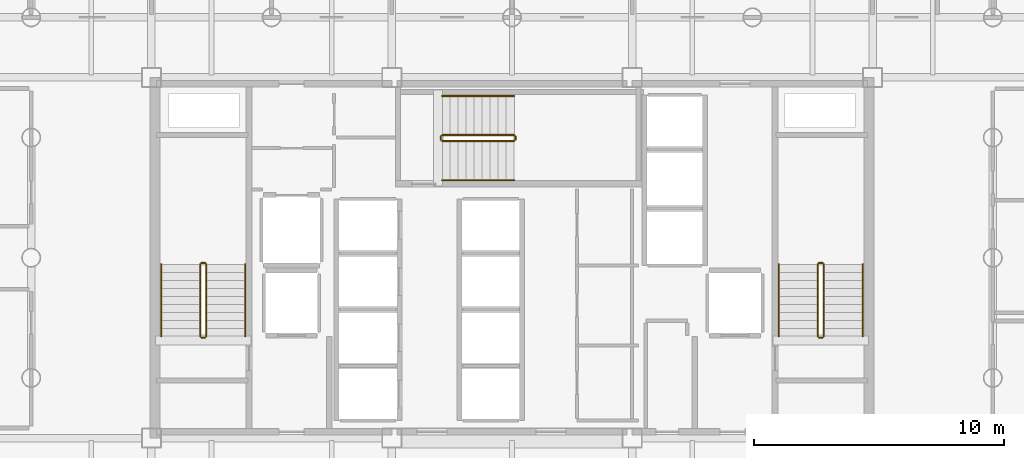
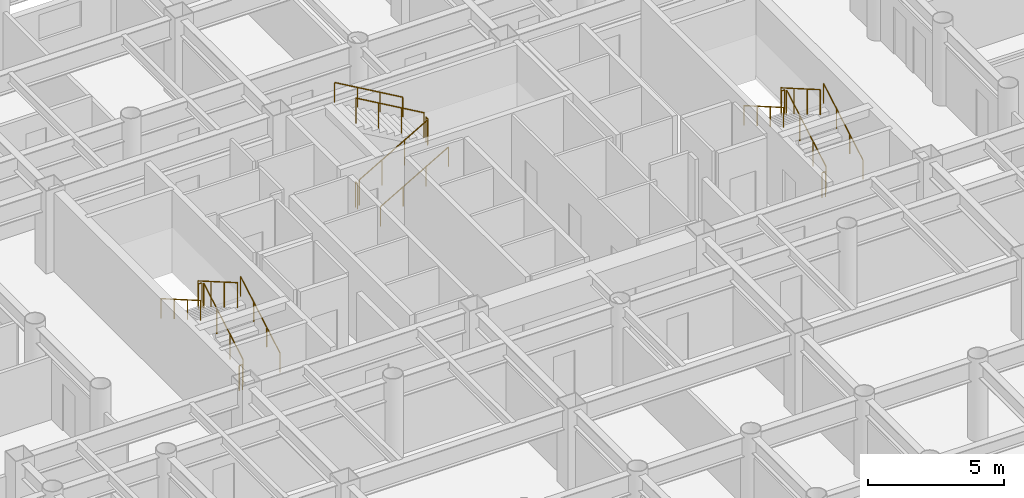
# One storey, part 21 of 21: 18 railings.
"""IFC4 building model written with IfcOpenShell, lengths in metres."""

import ifcopenshell
import ifcopenshell.guid

model = None  # the IFC model being written
_history = None  # IfcOwnerHistory: only IFC2X3 demands one
_inside = {}  # id of a spatial element -> (the spatial element, [elements in it])
_under = {}  # id of a project, library or spatial element -> (it, [spatial elements below it])
_declared = {}  # id of a project -> (the project, [libraries it declares])
_typed = {}  # id of a type object -> (the type object, [elements of that type])
_made_of = {}  # id of a material, layer set ... -> (it, [elements and type objects made of it])


def new_model(schema):
    """Start an empty IFC model of exactly this schema.

    Asked for "IFC4X3", IfcOpenShell would pick the latest addendum, in which some entities
    have other attributes; the version numbers below select the first issue.
    IFC2X3 requires an IfcOwnerHistory on every rooted entity: one is made here for all.
    """
    global model, _history
    if schema == "IFC4X3":
        model = ifcopenshell.file(schema_version=(4, 3, 0, 0))
    else:
        model = ifcopenshell.file(schema=schema)
    _inside.clear()
    _under.clear()
    _declared.clear()
    _typed.clear()
    _made_of.clear()
    _history = None
    if model.schema == "IFC2X3":
        org = make("IfcOrganization", Name="unknown")
        user = make(
            "IfcPersonAndOrganization",
            ThePerson=make("IfcPerson", FamilyName="unknown"),
            TheOrganization=org,
        )
        app = make(
            "IfcApplication",
            ApplicationDeveloper=org,
            Version="unknown",
            ApplicationFullName="unknown",
            ApplicationIdentifier="unknown",
        )
        _history = make(
            "IfcOwnerHistory",
            OwningUser=user,
            OwningApplication=app,
            ChangeAction="ADDED",
            CreationDate=0,
        )
    return model


def make(cls, **values):
    """One entity of the class cls with the attributes given. An attribute that is None is left unset."""
    return model.create_entity(
        cls, **{name: value for name, value in values.items() if value is not None}
    )


def rooted(cls, **values):
    """An entity with a GlobalId (a new one), such as an element, a storey or a relation."""
    return make(cls, GlobalId=ifcopenshell.guid.new(), OwnerHistory=_history, **values)


def si_unit(unit_type, name, prefix=None):
    """IfcSIUnit, for example si_unit("LENGTHUNIT", "METRE", prefix="MILLI")."""
    return make("IfcSIUnit", UnitType=unit_type, Prefix=prefix, Name=name)


def assignment(units):
    """IfcUnitAssignment: the units of a project."""
    return None if units is None else make("IfcUnitAssignment", Units=units)


def point(xyz):
    """IfcCartesianPoint."""
    return None if xyz is None else make("IfcCartesianPoint", Coordinates=xyz)


def direction(xyz):
    """IfcDirection."""
    return None if xyz is None else make("IfcDirection", DirectionRatios=xyz)


def frame(location, z_axis=None, x_axis=None):
    """IfcAxis2Placement3D, a coordinate frame: its origin and axes. An axis left out is left unset."""
    return make(
        "IfcAxis2Placement3D",
        Location=point(location),
        Axis=direction(z_axis),
        RefDirection=direction(x_axis),
    )


def frame_2d(location, x_axis=None):
    """IfcAxis2Placement2D, a coordinate frame in the plane: its origin and x axis."""
    return make(
        "IfcAxis2Placement2D", Location=point(location), RefDirection=direction(x_axis)
    )


def origin():
    """The frame at (0, 0, 0) with its axes left unset."""
    return frame((0.0, 0.0, 0.0))


def origin_2d():
    """The frame at (0, 0) in the plane with its x axis left unset."""
    return frame_2d((0.0, 0.0))


def place(relative_to, where):
    """IfcLocalPlacement: puts the frame where relative to a parent placement (None: the world)."""
    return make(
        "IfcLocalPlacement", PlacementRelTo=relative_to, RelativePlacement=where
    )


def context(
    kind, dimensions, precision=None, world=None, true_north=None, identifier=None
):
    """IfcGeometricRepresentationContext, for example the 3D "Model" context."""
    return make(
        "IfcGeometricRepresentationContext",
        ContextIdentifier=identifier,
        ContextType=kind,
        CoordinateSpaceDimension=dimensions,
        Precision=precision,
        WorldCoordinateSystem=world,
        TrueNorth=true_north,
    )


def subcontext(parent, identifier, kind, view, scale=None):
    """IfcGeometricRepresentationSubContext, for example "Body" below "Model"."""
    return make(
        "IfcGeometricRepresentationSubContext",
        ContextIdentifier=identifier,
        ContextType=kind,
        ParentContext=parent,
        TargetScale=scale,
        TargetView=view,
    )


def project(units=None, contexts=None):
    """IfcProject with its units and contexts."""
    return rooted(
        "IfcProject",
        Name="project",
        RepresentationContexts=contexts,
        UnitsInContext=assignment(units),
    )


def spatial(cls, under=None, at=None, **own):
    """A site, building, storey or space (cls), placed at a placement, below another one or the project."""
    s = rooted(cls, ObjectPlacement=at, **own)
    if under is not None:
        _under.setdefault(under.id(), (under, []))[1].append(s)
    return s


def profile(cls, at=None, kind="AREA", **sizes):
    """A parametric profile (cls). Its sizes go by their IFC names, for example OverallWidth=200.0."""
    return make(cls, ProfileType=kind, Position=at, **sizes)


def circle(**sizes):
    """IfcCircleProfileDef."""
    return profile("IfcCircleProfileDef", **sizes)


def extrude(swept, where, along, depth):
    """IfcExtrudedAreaSolid: the profile swept, set in the frame where, extruded along a direction by depth."""
    return make(
        "IfcExtrudedAreaSolid",
        SweptArea=swept,
        Position=where,
        ExtrudedDirection=direction(along),
        Depth=depth,
    )


def shape(context_of_items, identifier, shape_type, items):
    """IfcShapeRepresentation: the items that make up one representation, for example the "Body"."""
    return make(
        "IfcShapeRepresentation",
        ContextOfItems=context_of_items,
        RepresentationIdentifier=identifier,
        RepresentationType=shape_type,
        Items=items,
    )


def material(Name=None, Category=None):
    """IfcMaterial."""
    return make("IfcMaterial", Name=Name, Category=Category)


def layer(
    of_material, thickness, ventilated=None, Name=None, Category=None, Priority=None
):
    """IfcMaterialLayer: one layer of a wall or slab, of a material (None: an air gap)."""
    return make(
        "IfcMaterialLayer",
        Material=of_material,
        LayerThickness=thickness,
        IsVentilated=ventilated,
        Name=Name,
        Category=Category,
        Priority=Priority,
    )


def layer_set(layers, Name=None):
    """IfcMaterialLayerSet."""
    return make("IfcMaterialLayerSet", MaterialLayers=layers, LayerSetName=Name)


def made_of(thing, what):
    """Note that an element or type object is made of a material, layer set ...; save() writes the relation."""
    if what is not None:
        _made_of.setdefault(what.id(), (what, []))[1].append(thing)
    return thing


def type_object(cls, material=None, **own):
    """A type object (cls), such as IfcWallType, which elements share."""
    return made_of(rooted(cls, **own), material)


def element(
    cls,
    number,
    at=None,
    inside=None,
    cuts=None,
    type_object=None,
    material=None,
    context=None,
    identifier="Body",
    shape_type=None,
    held_by="IfcProductDefinitionShape",
    body=None,
    shapes=None,
    **own,
):
    """One element of the class cls, such as IfcWall. Its Tag is "e" and its number.

    at: its placement. inside: the storey or other place that contains it. cuts: it is an
    opening in that element (IfcRelVoidsElement). A single representation is given by context,
    identifier, shape_type and body (its items); several are given by shapes. held_by: the class
    of the entity that holds the representations. save() writes the other relations.
    """
    e = rooted(cls, Tag="e%d" % number, ObjectPlacement=at, **own)
    if body is not None:
        shapes = [shape(context, identifier, shape_type, body)]
    if shapes is not None:
        e.Representation = make(held_by, Representations=shapes)
    if inside is not None:
        _inside.setdefault(inside.id(), (inside, []))[1].append(e)
    if cuts is not None:
        rooted(
            "IfcRelVoidsElement", RelatingBuildingElement=cuts, RelatedOpeningElement=e
        )
    if type_object is not None:
        _typed.setdefault(type_object.id(), (type_object, []))[1].append(e)
    return made_of(e, material)


def aggregate(whole, parts):
    """IfcRelAggregates: a whole, such as a stair, and the parts it consists of."""
    return rooted("IfcRelAggregates", RelatingObject=whole, RelatedObjects=parts)


def save(model, path):
    """Write the relations noted so far, then the file.

    IfcRelAggregates (storeys below a building ...), IfcRelContainedInSpatialStructure (elements
    in a storey), IfcRelDefinesByType, IfcRelAssociatesMaterial and IfcRelDeclares: one each for
    every whole, place, type object, material and project.
    """
    for whole, parts in _under.values():
        aggregate(whole, parts)
    for where, things in _inside.values():
        rooted(
            "IfcRelContainedInSpatialStructure",
            RelatedElements=things,
            RelatingStructure=where,
        )
    for kind, things in _typed.values():
        rooted("IfcRelDefinesByType", RelatedObjects=things, RelatingType=kind)
    for what, things in _made_of.values():
        rooted("IfcRelAssociatesMaterial", RelatedObjects=things, RelatingMaterial=what)
    for by, libraries in _declared.values():
        rooted("IfcRelDeclares", RelatingContext=by, RelatedDefinitions=libraries)
    model.write(path)


model = new_model("IFC4")

# Units and contexts
model_context = context("Model", 3, precision=1e-05, world=origin(), true_north=direction((0.0, 1.0)))
body_context = subcontext(model_context, "Body", "Model", "MODEL_VIEW")
ifc_project = project(units=[si_unit("LENGTHUNIT", "METRE"), si_unit("AREAUNIT", "SQUARE_METRE"), si_unit("VOLUMEUNIT", "CUBIC_METRE"), si_unit("PLANEANGLEUNIT", "RADIAN"), si_unit("MASSUNIT", "GRAM", prefix="KILO")], contexts=[model_context])

# Site, building, storey
site_placement = place(None, origin())
site = spatial("IfcSite", under=ifc_project, at=site_placement, CompositionType="ELEMENT")
building_placement = place(site_placement, origin())
building = spatial("IfcBuilding", under=site, at=building_placement, Name="Kallvorn Hotel Tower", CompositionType="ELEMENT")
storey_placement = place(building_placement, frame((0.0, 0.0, 52.199951171875)))
storey = spatial("IfcBuildingStorey", under=building, at=storey_placement, Name="L11", CompositionType="ELEMENT", Elevation=52.199951171875)

# Railings
ifc_material_1 = material(Name="Brushed stainless-steel tubular railing", Category="steel")
ifc_layer_1 = layer(ifc_material_1, 0.050048828125)
ifc_layer_set_1 = layer_set([ifc_layer_1], Name="RL_STAIR_GUARD")
railing_type_1 = type_object("IfcRailingType", Name="RL_STAIR_GUARD", PredefinedType="GUARDRAIL", material=ifc_layer_set_1)
railing_1_placement = place(storey_placement, frame((-12.2099609375, -3.139892578125, 0.18505859375)))
element("IfcRailing", 1, at=railing_1_placement, inside=storey, type_object=railing_type_1, Name="L11 ST1 stair guard 1", PredefinedType="GUARDRAIL", context=body_context, shape_type="SweptSolid", body=[
    extrude(circle(Radius=0.02392578125, at=origin_2d()), frame((0.0, 0.0, 1.1259765625), z_axis=(0.0, 0.865720918037, 0.500527014328), x_axis=(-1.0, 0.0, 0.0)), (0.0, 0.0, 1.0), 3.32666015625),
    extrude(circle(Radius=0.02099609375, at=origin_2d()), origin(), (0.0, 0.0, 1.0), 1.101806640625),
    extrude(circle(Radius=0.02099609375, at=origin_2d()), frame((0.0, 0.9599609375, 0.554931640625)), (0.0, 0.0, 1.0), 1.101806640625),
    extrude(circle(Radius=0.02099609375, at=origin_2d()), frame((0.0, 1.919921875, 1.110107421875)), (0.0, 0.0, 1.0), 1.101806640625),
    extrude(circle(Radius=0.02099609375, at=origin_2d()), frame((0.0, 2.8798828125, 1.6650390625)), (0.0, 0.0, 1.0), 1.101806640625),
])
railing_2_placement = place(storey_placement, frame((-12.260009765625, -0.2099609375, 1.85009765625)))
element("IfcRailing", 2, at=railing_2_placement, inside=storey, type_object=railing_type_1, Name="L11 ST1 stair guard 2", PredefinedType="GUARDRAIL", context=body_context, shape_type="SweptSolid", body=[
    extrude(circle(Radius=0.02392578125, at=origin_2d()), frame((0.0, 0.0, 1.1259765625), z_axis=(-1.0, 0.0, 0.0), x_axis=(0.0, -1.0, 0.0)), (0.0, 0.0, 1.0), 0.139892578125),
    extrude(circle(Radius=0.02099609375, at=origin_2d()), origin(), (0.0, 0.0, 1.0), 1.101806640625),
    extrude(circle(Radius=0.02099609375, at=origin_2d()), frame((-0.139892578125, 0.0, 0.0)), (0.0, 0.0, 1.0), 1.101806640625),
])
railing_3_placement = place(storey_placement, frame((-12.449951171875, -0.260009765625, 2.03515625)))
element("IfcRailing", 3, at=railing_3_placement, inside=storey, type_object=railing_type_1, Name="L11 ST1 stair guard 3", PredefinedType="GUARDRAIL", context=body_context, shape_type="SweptSolid", body=[
    extrude(circle(Radius=0.02392578125, at=origin_2d()), frame((0.0, 0.0, 1.1259765625), z_axis=(0.0, -0.86575271903, 0.500472006703), x_axis=(1.0, 0.0, 0.0)), (0.0, 0.0, 1.0), 3.326416015625),
    extrude(circle(Radius=0.02099609375, at=origin_2d()), origin(), (0.0, 0.0, 1.0), 1.101806640625),
    extrude(circle(Radius=0.02099609375, at=origin_2d()), frame((0.0, -0.9599609375, 0.554931640625)), (0.0, 0.0, 1.0), 1.101806640625),
    extrude(circle(Radius=0.02099609375, at=origin_2d()), frame((0.0, -1.919921875, 1.10986328125)), (0.0, 0.0, 1.0), 1.101806640625),
    extrude(circle(Radius=0.02099609375, at=origin_2d()), frame((0.0, -2.8798828125, 1.664794921875)), (0.0, 0.0, 1.0), 1.101806640625),
])
railing_4_placement = place(storey_placement, frame((-12.260009765625, -3.18994140625, 0.0)))
element("IfcRailing", 4, at=railing_4_placement, inside=storey, type_object=railing_type_1, Name="L11 ST1 stair guard 4", PredefinedType="GUARDRAIL", context=body_context, shape_type="SweptSolid", body=[
    extrude(circle(Radius=0.02392578125, at=origin_2d()), frame((0.0, 0.0, 1.1259765625), z_axis=(-1.0, 0.0, 0.0), x_axis=(0.0, -1.0, 0.0)), (0.0, 0.0, 1.0), 0.139892578125),
    extrude(circle(Radius=0.02099609375, at=origin_2d()), origin(), (0.0, 0.0, 1.0), 1.101806640625),
    extrude(circle(Radius=0.02099609375, at=origin_2d()), frame((-0.139892578125, 0.0, 0.0)), (0.0, 0.0, 1.0), 1.101806640625),
])
railing_5_placement = place(storey_placement, frame((12.449951171875, -3.139892578125, 0.18505859375)))
element("IfcRailing", 5, at=railing_5_placement, inside=storey, type_object=railing_type_1, Name="L11 ST2 stair guard 1", PredefinedType="GUARDRAIL", context=body_context, shape_type="SweptSolid", body=[
    extrude(circle(Radius=0.02392578125, at=origin_2d()), frame((0.0, 0.0, 1.1259765625), z_axis=(0.0, 0.865720918037, 0.500527014328), x_axis=(-1.0, 0.0, 0.0)), (0.0, 0.0, 1.0), 3.32666015625),
    extrude(circle(Radius=0.02099609375, at=origin_2d()), origin(), (0.0, 0.0, 1.0), 1.101806640625),
    extrude(circle(Radius=0.02099609375, at=origin_2d()), frame((0.0, 0.9599609375, 0.554931640625)), (0.0, 0.0, 1.0), 1.101806640625),
    extrude(circle(Radius=0.02099609375, at=origin_2d()), frame((0.0, 1.919921875, 1.110107421875)), (0.0, 0.0, 1.0), 1.101806640625),
    extrude(circle(Radius=0.02099609375, at=origin_2d()), frame((0.0, 2.8798828125, 1.6650390625)), (0.0, 0.0, 1.0), 1.101806640625),
])
railing_6_placement = place(storey_placement, frame((12.39990234375, -0.2099609375, 1.85009765625)))
element("IfcRailing", 6, at=railing_6_placement, inside=storey, type_object=railing_type_1, Name="L11 ST2 stair guard 2", PredefinedType="GUARDRAIL", context=body_context, shape_type="SweptSolid", body=[
    extrude(circle(Radius=0.02392578125, at=origin_2d()), frame((0.0, 0.0, 1.1259765625), z_axis=(-1.0, 0.0, 0.0), x_axis=(0.0, -1.0, 0.0)), (0.0, 0.0, 1.0), 0.139892578125),
    extrude(circle(Radius=0.02099609375, at=origin_2d()), origin(), (0.0, 0.0, 1.0), 1.101806640625),
    extrude(circle(Radius=0.02099609375, at=origin_2d()), frame((-0.139892578125, 0.0, 0.0)), (0.0, 0.0, 1.0), 1.101806640625),
])
railing_7_placement = place(storey_placement, frame((12.2099609375, -0.260009765625, 2.03515625)))
element("IfcRailing", 7, at=railing_7_placement, inside=storey, type_object=railing_type_1, Name="L11 ST2 stair guard 3", PredefinedType="GUARDRAIL", context=body_context, shape_type="SweptSolid", body=[
    extrude(circle(Radius=0.02392578125, at=origin_2d()), frame((0.0, 0.0, 1.1259765625), z_axis=(0.0, -0.86575271903, 0.500472006703), x_axis=(1.0, 0.0, 0.0)), (0.0, 0.0, 1.0), 3.326416015625),
    extrude(circle(Radius=0.02099609375, at=origin_2d()), origin(), (0.0, 0.0, 1.0), 1.101806640625),
    extrude(circle(Radius=0.02099609375, at=origin_2d()), frame((0.0, -0.9599609375, 0.554931640625)), (0.0, 0.0, 1.0), 1.101806640625),
    extrude(circle(Radius=0.02099609375, at=origin_2d()), frame((0.0, -1.919921875, 1.10986328125)), (0.0, 0.0, 1.0), 1.101806640625),
    extrude(circle(Radius=0.02099609375, at=origin_2d()), frame((0.0, -2.8798828125, 1.664794921875)), (0.0, 0.0, 1.0), 1.101806640625),
])
railing_8_placement = place(storey_placement, frame((12.39990234375, -3.18994140625, 0.0)))
element("IfcRailing", 8, at=railing_8_placement, inside=storey, type_object=railing_type_1, Name="L11 ST2 stair guard 4", PredefinedType="GUARDRAIL", context=body_context, shape_type="SweptSolid", body=[
    extrude(circle(Radius=0.02392578125, at=origin_2d()), frame((0.0, 0.0, 1.1259765625), z_axis=(-1.0, 0.0, 0.0), x_axis=(0.0, -1.0, 0.0)), (0.0, 0.0, 1.0), 0.139892578125),
    extrude(circle(Radius=0.02099609375, at=origin_2d()), origin(), (0.0, 0.0, 1.0), 1.101806640625),
    extrude(circle(Radius=0.02099609375, at=origin_2d()), frame((-0.139892578125, 0.0, 0.0)), (0.0, 0.0, 1.0), 1.101806640625),
])
railing_9_placement = place(storey_placement, frame((-2.7900390625, 4.659912109375, 0.18505859375)))
element("IfcRailing", 9, at=railing_9_placement, inside=storey, type_object=railing_type_1, Name="L11 ST3 stair guard 1", PredefinedType="GUARDRAIL", context=body_context, shape_type="SweptSolid", body=[
    extrude(circle(Radius=0.02392578125, at=origin_2d()), frame((0.0, 0.0, 1.1259765625), z_axis=(0.865739302748, 0.0, 0.50049521444), x_axis=(0.0, 1.0, 0.0)), (0.0, 0.0, 1.0), 3.326904296875),
    extrude(circle(Radius=0.02099609375, at=origin_2d()), origin(), (0.0, 0.0, 1.0), 1.101806640625),
    extrude(circle(Radius=0.02099609375, at=origin_2d()), frame((0.9599609375, 0.0, 0.554931640625)), (0.0, 0.0, 1.0), 1.101806640625),
    extrude(circle(Radius=0.02099609375, at=origin_2d()), frame((1.920166015625, 0.0, 1.110107421875)), (0.0, 0.0, 1.0), 1.101806640625),
    extrude(circle(Radius=0.02099609375, at=origin_2d()), frame((2.880126953125, 0.0, 1.6650390625)), (0.0, 0.0, 1.0), 1.101806640625),
])
railing_10_placement = place(storey_placement, frame((0.139892578125, 4.7099609375, 1.85009765625)))
element("IfcRailing", 10, at=railing_10_placement, inside=storey, type_object=railing_type_1, Name="L11 ST3 stair guard 2", PredefinedType="GUARDRAIL", context=body_context, shape_type="SweptSolid", body=[
    extrude(circle(Radius=0.02392578125, at=origin_2d()), frame((0.0, 0.0, 1.1259765625), z_axis=(0.0, 1.0, 0.0), x_axis=(-1.0, 0.0, 0.0)), (0.0, 0.0, 1.0), 0.14013671875),
    extrude(circle(Radius=0.02099609375, at=origin_2d()), origin(), (0.0, 0.0, 1.0), 1.101806640625),
    extrude(circle(Radius=0.02099609375, at=origin_2d()), frame((0.0, 0.14013671875, 0.0)), (0.0, 0.0, 1.0), 1.101806640625),
])
railing_11_placement = place(storey_placement, frame((0.090087890625, 4.89990234375, 2.03515625)))
element("IfcRailing", 11, at=railing_11_placement, inside=storey, type_object=railing_type_1, Name="L11 ST3 stair guard 3", PredefinedType="GUARDRAIL", context=body_context, shape_type="SweptSolid", body=[
    extrude(circle(Radius=0.02392578125, at=origin_2d()), frame((0.0, 0.0, 1.1259765625), z_axis=(-0.865771100375, 0.0, 0.500440207973), x_axis=(0.0, -1.0, 0.0)), (0.0, 0.0, 1.0), 3.32666015625),
    extrude(circle(Radius=0.02099609375, at=origin_2d()), origin(), (0.0, 0.0, 1.0), 1.101806640625),
    extrude(circle(Radius=0.02099609375, at=origin_2d()), frame((-0.9599609375, 0.0, 0.554931640625)), (0.0, 0.0, 1.0), 1.101806640625),
    extrude(circle(Radius=0.02099609375, at=origin_2d()), frame((-1.920166015625, 0.0, 1.10986328125)), (0.0, 0.0, 1.0), 1.101806640625),
    extrude(circle(Radius=0.02099609375, at=origin_2d()), frame((-2.880126953125, 0.0, 1.664794921875)), (0.0, 0.0, 1.0), 1.101806640625),
])
railing_12_placement = place(storey_placement, frame((-2.840087890625, 4.7099609375, 0.0)))
element("IfcRailing", 12, at=railing_12_placement, inside=storey, type_object=railing_type_1, Name="L11 ST3 stair guard 4", PredefinedType="GUARDRAIL", context=body_context, shape_type="SweptSolid", body=[
    extrude(circle(Radius=0.02392578125, at=origin_2d()), frame((0.0, 0.0, 1.1259765625), z_axis=(0.0, 1.0, 0.0), x_axis=(-1.0, 0.0, 0.0)), (0.0, 0.0, 1.0), 0.14013671875),
    extrude(circle(Radius=0.02099609375, at=origin_2d()), origin(), (0.0, 0.0, 1.0), 1.101806640625),
    extrude(circle(Radius=0.02099609375, at=origin_2d()), frame((0.0, 0.14013671875, 0.0)), (0.0, 0.0, 1.0), 1.101806640625),
])
ifc_material_2 = material(Name="Brushed stainless-steel tubular railing", Category="steel")
ifc_layer_2 = layer(ifc_material_2, 0.050048828125)
ifc_layer_set_2 = layer_set([ifc_layer_2], Name="RL_STAIR_HAND")
railing_type_2 = type_object("IfcRailingType", Name="RL_STAIR_HAND", PredefinedType="HANDRAIL", material=ifc_layer_set_2)
railing_13_placement = place(storey_placement, frame((-10.64990234375, -3.139892578125, 0.18505859375)))
element("IfcRailing", 13, at=railing_13_placement, inside=storey, type_object=railing_type_2, Name="L11 ST1 stair handrail 1", PredefinedType="HANDRAIL", context=body_context, shape_type="SweptSolid", body=[
    extrude(circle(Radius=0.02392578125, at=origin_2d()), frame((0.0, 0.0, 0.8759765625), z_axis=(0.0, 0.865720918037, 0.500527014328), x_axis=(-1.0, 0.0, 0.0)), (0.0, 0.0, 1.0), 3.32666015625),
    extrude(circle(Radius=0.02099609375, at=origin_2d()), origin(), (0.0, 0.0, 1.0), 0.851806640625),
    extrude(circle(Radius=0.02099609375, at=origin_2d()), frame((0.0, 0.9599609375, 0.554931640625)), (0.0, 0.0, 1.0), 0.851806640625),
    extrude(circle(Radius=0.02099609375, at=origin_2d()), frame((0.0, 1.919921875, 1.110107421875)), (0.0, 0.0, 1.0), 0.851806640625),
    extrude(circle(Radius=0.02099609375, at=origin_2d()), frame((0.0, 2.8798828125, 1.6650390625)), (0.0, 0.0, 1.0), 0.851806640625),
])
railing_14_placement = place(storey_placement, frame((-14.010009765625, -0.260009765625, 2.03515625)))
element("IfcRailing", 14, at=railing_14_placement, inside=storey, type_object=railing_type_2, Name="L11 ST1 stair handrail 2", PredefinedType="HANDRAIL", context=body_context, shape_type="SweptSolid", body=[
    extrude(circle(Radius=0.02392578125, at=origin_2d()), frame((0.0, 0.0, 0.8759765625), z_axis=(0.0, -0.86575271903, 0.500472006703), x_axis=(1.0, 0.0, 0.0)), (0.0, 0.0, 1.0), 3.326416015625),
    extrude(circle(Radius=0.02099609375, at=origin_2d()), origin(), (0.0, 0.0, 1.0), 0.851806640625),
    extrude(circle(Radius=0.02099609375, at=origin_2d()), frame((0.0, -0.9599609375, 0.554931640625)), (0.0, 0.0, 1.0), 0.851806640625),
    extrude(circle(Radius=0.02099609375, at=origin_2d()), frame((0.0, -1.919921875, 1.10986328125)), (0.0, 0.0, 1.0), 0.851806640625),
    extrude(circle(Radius=0.02099609375, at=origin_2d()), frame((0.0, -2.8798828125, 1.664794921875)), (0.0, 0.0, 1.0), 0.851806640625),
])
railing_15_placement = place(storey_placement, frame((14.010009765625, -3.139892578125, 0.18505859375)))
element("IfcRailing", 15, at=railing_15_placement, inside=storey, type_object=railing_type_2, Name="L11 ST2 stair handrail 1", PredefinedType="HANDRAIL", context=body_context, shape_type="SweptSolid", body=[
    extrude(circle(Radius=0.02392578125, at=origin_2d()), frame((0.0, 0.0, 0.8759765625), z_axis=(0.0, 0.865720918037, 0.500527014328), x_axis=(-1.0, 0.0, 0.0)), (0.0, 0.0, 1.0), 3.32666015625),
    extrude(circle(Radius=0.02099609375, at=origin_2d()), origin(), (0.0, 0.0, 1.0), 0.851806640625),
    extrude(circle(Radius=0.02099609375, at=origin_2d()), frame((0.0, 0.9599609375, 0.554931640625)), (0.0, 0.0, 1.0), 0.851806640625),
    extrude(circle(Radius=0.02099609375, at=origin_2d()), frame((0.0, 1.919921875, 1.110107421875)), (0.0, 0.0, 1.0), 0.851806640625),
    extrude(circle(Radius=0.02099609375, at=origin_2d()), frame((0.0, 2.8798828125, 1.6650390625)), (0.0, 0.0, 1.0), 0.851806640625),
])
railing_16_placement = place(storey_placement, frame((10.64990234375, -0.260009765625, 2.03515625)))
element("IfcRailing", 16, at=railing_16_placement, inside=storey, type_object=railing_type_2, Name="L11 ST2 stair handrail 2", PredefinedType="HANDRAIL", context=body_context, shape_type="SweptSolid", body=[
    extrude(circle(Radius=0.02392578125, at=origin_2d()), frame((0.0, 0.0, 0.8759765625), z_axis=(0.0, -0.86575271903, 0.500472006703), x_axis=(1.0, 0.0, 0.0)), (0.0, 0.0, 1.0), 3.326416015625),
    extrude(circle(Radius=0.02099609375, at=origin_2d()), origin(), (0.0, 0.0, 1.0), 0.851806640625),
    extrude(circle(Radius=0.02099609375, at=origin_2d()), frame((0.0, -0.9599609375, 0.554931640625)), (0.0, 0.0, 1.0), 0.851806640625),
    extrude(circle(Radius=0.02099609375, at=origin_2d()), frame((0.0, -1.919921875, 1.10986328125)), (0.0, 0.0, 1.0), 0.851806640625),
    extrude(circle(Radius=0.02099609375, at=origin_2d()), frame((0.0, -2.8798828125, 1.664794921875)), (0.0, 0.0, 1.0), 0.851806640625),
])
railing_17_placement = place(storey_placement, frame((-2.7900390625, 3.10009765625, 0.18505859375)))
element("IfcRailing", 17, at=railing_17_placement, inside=storey, type_object=railing_type_2, Name="L11 ST3 stair handrail 1", PredefinedType="HANDRAIL", context=body_context, shape_type="SweptSolid", body=[
    extrude(circle(Radius=0.02392578125, at=origin_2d()), frame((0.0, 0.0, 0.8759765625), z_axis=(0.865739302748, 0.0, 0.50049521444), x_axis=(0.0, 1.0, 0.0)), (0.0, 0.0, 1.0), 3.326904296875),
    extrude(circle(Radius=0.02099609375, at=origin_2d()), origin(), (0.0, 0.0, 1.0), 0.851806640625),
    extrude(circle(Radius=0.02099609375, at=origin_2d()), frame((0.9599609375, 0.0, 0.554931640625)), (0.0, 0.0, 1.0), 0.851806640625),
    extrude(circle(Radius=0.02099609375, at=origin_2d()), frame((1.920166015625, 0.0, 1.110107421875)), (0.0, 0.0, 1.0), 0.851806640625),
    extrude(circle(Radius=0.02099609375, at=origin_2d()), frame((2.880126953125, 0.0, 1.6650390625)), (0.0, 0.0, 1.0), 0.851806640625),
])
railing_18_placement = place(storey_placement, frame((0.090087890625, 6.4599609375, 2.03515625)))
element("IfcRailing", 18, at=railing_18_placement, inside=storey, type_object=railing_type_2, Name="L11 ST3 stair handrail 2", PredefinedType="HANDRAIL", context=body_context, shape_type="SweptSolid", body=[
    extrude(circle(Radius=0.02392578125, at=origin_2d()), frame((0.0, 0.0, 0.8759765625), z_axis=(-0.865771100375, 0.0, 0.500440207973), x_axis=(0.0, -1.0, 0.0)), (0.0, 0.0, 1.0), 3.32666015625),
    extrude(circle(Radius=0.02099609375, at=origin_2d()), origin(), (0.0, 0.0, 1.0), 0.851806640625),
    extrude(circle(Radius=0.02099609375, at=origin_2d()), frame((-0.9599609375, 0.0, 0.554931640625)), (0.0, 0.0, 1.0), 0.851806640625),
    extrude(circle(Radius=0.02099609375, at=origin_2d()), frame((-1.920166015625, 0.0, 1.10986328125)), (0.0, 0.0, 1.0), 0.851806640625),
    extrude(circle(Radius=0.02099609375, at=origin_2d()), frame((-2.880126953125, 0.0, 1.664794921875)), (0.0, 0.0, 1.0), 0.851806640625),
])

save(model, "model.ifc")
